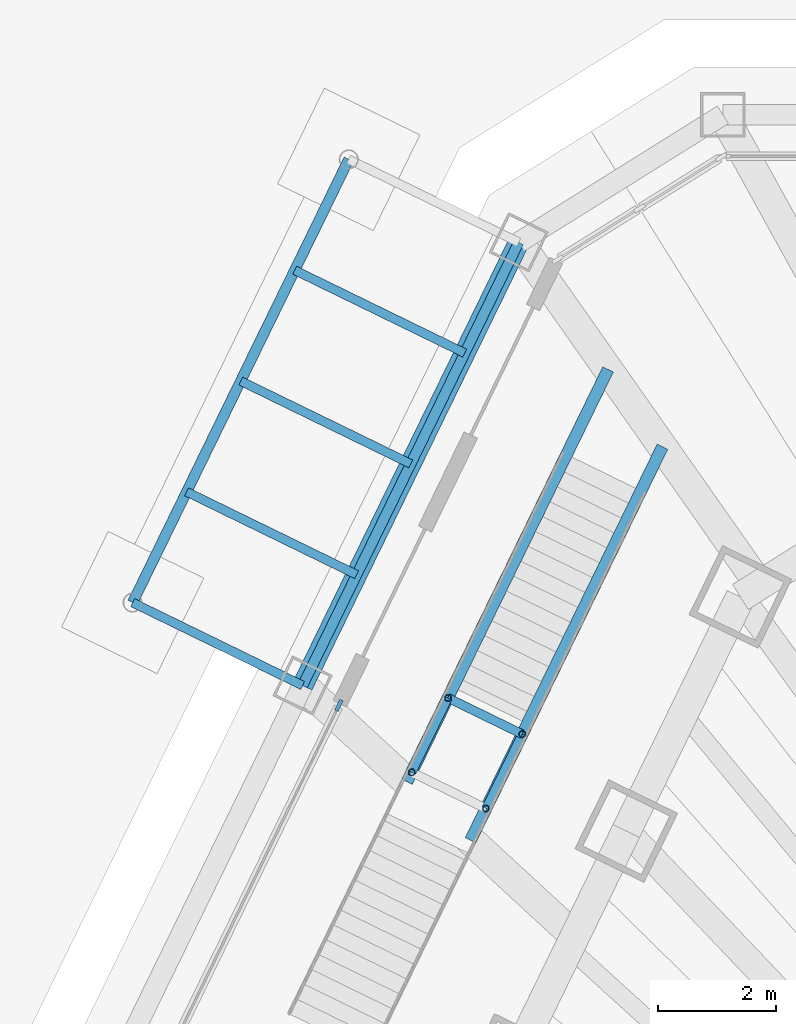
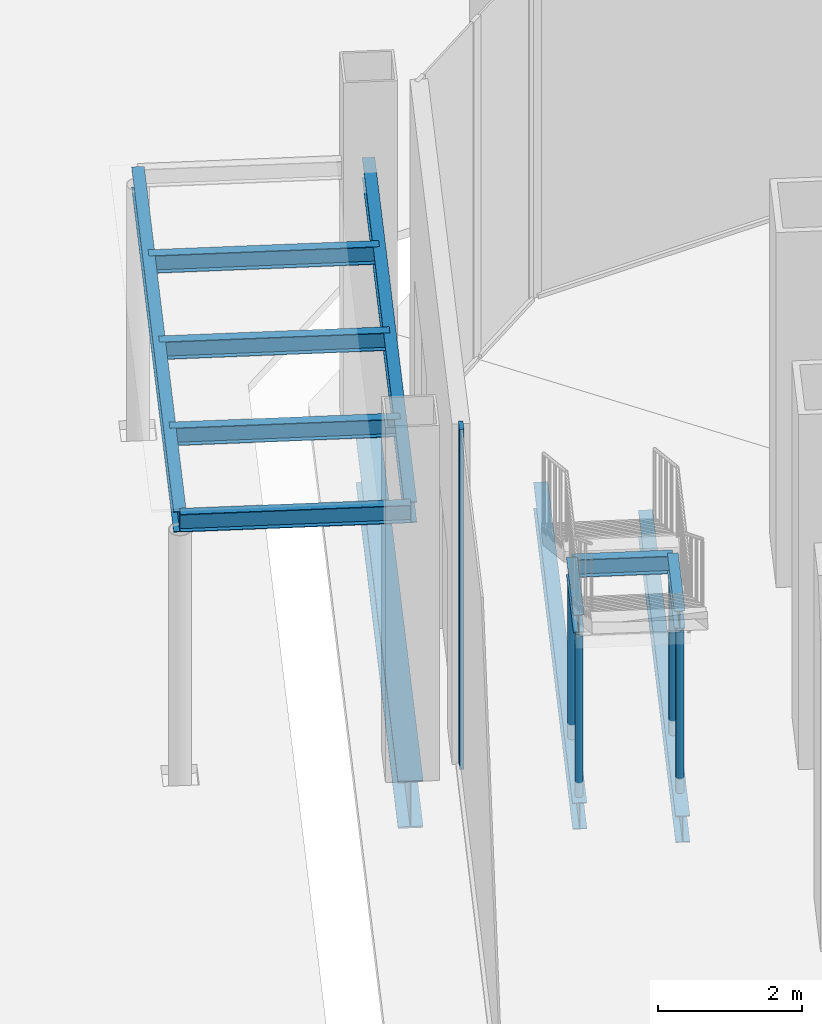
# One storey, part 18 of 45: 12 beams, 5 members, 1 element without a shape of its own.
"""IFC4 building model written with IfcOpenShell, lengths in metres."""

import ifcopenshell
import ifcopenshell.guid

model = None  # the IFC model being written
_history = None  # IfcOwnerHistory: only IFC2X3 demands one
_inside = {}  # id of a spatial element -> (the spatial element, [elements in it])
_under = {}  # id of a project, library or spatial element -> (it, [spatial elements below it])
_declared = {}  # id of a project -> (the project, [libraries it declares])
_typed = {}  # id of a type object -> (the type object, [elements of that type])
_made_of = {}  # id of a material, layer set ... -> (it, [elements and type objects made of it])


def new_model(schema):
    """Start an empty IFC model of exactly this schema.

    Asked for "IFC4X3", IfcOpenShell would pick the latest addendum, in which some entities
    have other attributes; the version numbers below select the first issue.
    IFC2X3 requires an IfcOwnerHistory on every rooted entity: one is made here for all.
    """
    global model, _history
    if schema == "IFC4X3":
        model = ifcopenshell.file(schema_version=(4, 3, 0, 0))
    else:
        model = ifcopenshell.file(schema=schema)
    _inside.clear()
    _under.clear()
    _declared.clear()
    _typed.clear()
    _made_of.clear()
    _history = None
    if model.schema == "IFC2X3":
        org = make("IfcOrganization", Name="unknown")
        user = make(
            "IfcPersonAndOrganization",
            ThePerson=make("IfcPerson", FamilyName="unknown"),
            TheOrganization=org,
        )
        app = make(
            "IfcApplication",
            ApplicationDeveloper=org,
            Version="unknown",
            ApplicationFullName="unknown",
            ApplicationIdentifier="unknown",
        )
        _history = make(
            "IfcOwnerHistory",
            OwningUser=user,
            OwningApplication=app,
            ChangeAction="ADDED",
            CreationDate=0,
        )
    return model


def make(cls, **values):
    """One entity of the class cls with the attributes given. An attribute that is None is left unset."""
    return model.create_entity(
        cls, **{name: value for name, value in values.items() if value is not None}
    )


def rooted(cls, **values):
    """An entity with a GlobalId (a new one), such as an element, a storey or a relation."""
    return make(cls, GlobalId=ifcopenshell.guid.new(), OwnerHistory=_history, **values)


def si_unit(unit_type, name, prefix=None):
    """IfcSIUnit, for example si_unit("LENGTHUNIT", "METRE", prefix="MILLI")."""
    return make("IfcSIUnit", UnitType=unit_type, Prefix=prefix, Name=name)


def assignment(units):
    """IfcUnitAssignment: the units of a project."""
    return None if units is None else make("IfcUnitAssignment", Units=units)


def point(xyz):
    """IfcCartesianPoint."""
    return None if xyz is None else make("IfcCartesianPoint", Coordinates=xyz)


def direction(xyz):
    """IfcDirection."""
    return None if xyz is None else make("IfcDirection", DirectionRatios=xyz)


def frame(location, z_axis=None, x_axis=None):
    """IfcAxis2Placement3D, a coordinate frame: its origin and axes. An axis left out is left unset."""
    return make(
        "IfcAxis2Placement3D",
        Location=point(location),
        Axis=direction(z_axis),
        RefDirection=direction(x_axis),
    )


def frame_2d(location, x_axis=None):
    """IfcAxis2Placement2D, a coordinate frame in the plane: its origin and x axis."""
    return make(
        "IfcAxis2Placement2D", Location=point(location), RefDirection=direction(x_axis)
    )


def origin():
    """The frame at (0, 0, 0) with its axes left unset."""
    return frame((0.0, 0.0, 0.0))


def origin_2d():
    """The frame at (0, 0) in the plane with its x axis left unset."""
    return frame_2d((0.0, 0.0))


def place(relative_to, where):
    """IfcLocalPlacement: puts the frame where relative to a parent placement (None: the world)."""
    return make(
        "IfcLocalPlacement", PlacementRelTo=relative_to, RelativePlacement=where
    )


def context(
    kind, dimensions, precision=None, world=None, true_north=None, identifier=None
):
    """IfcGeometricRepresentationContext, for example the 3D "Model" context."""
    return make(
        "IfcGeometricRepresentationContext",
        ContextIdentifier=identifier,
        ContextType=kind,
        CoordinateSpaceDimension=dimensions,
        Precision=precision,
        WorldCoordinateSystem=world,
        TrueNorth=true_north,
    )


def subcontext(parent, identifier, kind, view, scale=None):
    """IfcGeometricRepresentationSubContext, for example "Body" below "Model"."""
    return make(
        "IfcGeometricRepresentationSubContext",
        ContextIdentifier=identifier,
        ContextType=kind,
        ParentContext=parent,
        TargetScale=scale,
        TargetView=view,
    )


def project(units=None, contexts=None):
    """IfcProject with its units and contexts."""
    return rooted(
        "IfcProject",
        Name="project",
        RepresentationContexts=contexts,
        UnitsInContext=assignment(units),
    )


def spatial(cls, under=None, at=None, **own):
    """A site, building, storey or space (cls), placed at a placement, below another one or the project."""
    s = rooted(cls, ObjectPlacement=at, **own)
    if under is not None:
        _under.setdefault(under.id(), (under, []))[1].append(s)
    return s


def profile(cls, at=None, kind="AREA", **sizes):
    """A parametric profile (cls). Its sizes go by their IFC names, for example OverallWidth=200.0."""
    return make(cls, ProfileType=kind, Position=at, **sizes)


def rectangle(**sizes):
    """IfcRectangleProfileDef."""
    return profile("IfcRectangleProfileDef", **sizes)


def hollow_circle(**sizes):
    """IfcCircleHollowProfileDef."""
    return profile("IfcCircleHollowProfileDef", **sizes)


def i_section(**sizes):
    """IfcIShapeProfileDef."""
    return profile("IfcIShapeProfileDef", **sizes)


def extrude(swept, where, along, depth):
    """IfcExtrudedAreaSolid: the profile swept, set in the frame where, extruded along a direction by depth."""
    return make(
        "IfcExtrudedAreaSolid",
        SweptArea=swept,
        Position=where,
        ExtrudedDirection=direction(along),
        Depth=depth,
    )


def shape(context_of_items, identifier, shape_type, items):
    """IfcShapeRepresentation: the items that make up one representation, for example the "Body"."""
    return make(
        "IfcShapeRepresentation",
        ContextOfItems=context_of_items,
        RepresentationIdentifier=identifier,
        RepresentationType=shape_type,
        Items=items,
    )


def material(Name=None, Category=None):
    """IfcMaterial."""
    return make("IfcMaterial", Name=Name, Category=Category)


def material_profile(
    of_material, cross_section, Name=None, Category=None, Priority=None
):
    """IfcMaterialProfile: a cross section and its material."""
    return make(
        "IfcMaterialProfile",
        Name=Name,
        Material=of_material,
        Profile=cross_section,
        Priority=Priority,
        Category=Category,
    )


def profile_set(profiles, Name=None, composite=None):
    """IfcMaterialProfileSet."""
    return make(
        "IfcMaterialProfileSet",
        Name=Name,
        MaterialProfiles=profiles,
        CompositeProfile=composite,
    )


def made_of(thing, what):
    """Note that an element or type object is made of a material, layer set ...; save() writes the relation."""
    if what is not None:
        _made_of.setdefault(what.id(), (what, []))[1].append(thing)
    return thing


def type_object(cls, material=None, **own):
    """A type object (cls), such as IfcWallType, which elements share."""
    return made_of(rooted(cls, **own), material)


def element(
    cls,
    number,
    at=None,
    inside=None,
    cuts=None,
    type_object=None,
    material=None,
    context=None,
    identifier="Body",
    shape_type=None,
    held_by="IfcProductDefinitionShape",
    body=None,
    shapes=None,
    **own,
):
    """One element of the class cls, such as IfcWall. Its Tag is "e" and its number.

    at: its placement. inside: the storey or other place that contains it. cuts: it is an
    opening in that element (IfcRelVoidsElement). A single representation is given by context,
    identifier, shape_type and body (its items); several are given by shapes. held_by: the class
    of the entity that holds the representations. save() writes the other relations.
    """
    e = rooted(cls, Tag="e%d" % number, ObjectPlacement=at, **own)
    if body is not None:
        shapes = [shape(context, identifier, shape_type, body)]
    if shapes is not None:
        e.Representation = make(held_by, Representations=shapes)
    if inside is not None:
        _inside.setdefault(inside.id(), (inside, []))[1].append(e)
    if cuts is not None:
        rooted(
            "IfcRelVoidsElement", RelatingBuildingElement=cuts, RelatedOpeningElement=e
        )
    if type_object is not None:
        _typed.setdefault(type_object.id(), (type_object, []))[1].append(e)
    return made_of(e, material)


def aggregate(whole, parts):
    """IfcRelAggregates: a whole, such as a stair, and the parts it consists of."""
    return rooted("IfcRelAggregates", RelatingObject=whole, RelatedObjects=parts)


def save(model, path):
    """Write the relations noted so far, then the file.

    IfcRelAggregates (storeys below a building ...), IfcRelContainedInSpatialStructure (elements
    in a storey), IfcRelDefinesByType, IfcRelAssociatesMaterial and IfcRelDeclares: one each for
    every whole, place, type object, material and project.
    """
    for whole, parts in _under.values():
        aggregate(whole, parts)
    for where, things in _inside.values():
        rooted(
            "IfcRelContainedInSpatialStructure",
            RelatedElements=things,
            RelatingStructure=where,
        )
    for kind, things in _typed.values():
        rooted("IfcRelDefinesByType", RelatedObjects=things, RelatingType=kind)
    for what, things in _made_of.values():
        rooted("IfcRelAssociatesMaterial", RelatedObjects=things, RelatingMaterial=what)
    for by, libraries in _declared.values():
        rooted("IfcRelDeclares", RelatingContext=by, RelatedDefinitions=libraries)
    model.write(path)


model = new_model("IFC4")

# Units and contexts
model_context = context("Model", 3, precision=1e-05, world=origin(), true_north=direction((0.0, 1.0)))
body_context = subcontext(model_context, "Body", "Model", "MODEL_VIEW")
ifc_project = project(units=[si_unit("LENGTHUNIT", "METRE"), si_unit("AREAUNIT", "SQUARE_METRE"), si_unit("VOLUMEUNIT", "CUBIC_METRE"), si_unit("PLANEANGLEUNIT", "RADIAN"), si_unit("MASSUNIT", "GRAM", prefix="KILO")], contexts=[model_context])

# Site, building, storey
site_placement = place(None, origin())
site = spatial("IfcSite", under=ifc_project, at=site_placement, CompositionType="ELEMENT")
building_placement = place(site_placement, origin())
building = spatial("IfcBuilding", under=site, at=building_placement, Name="Qingtian Harvest Tower", CompositionType="ELEMENT")
storey_placement = place(building_placement, origin())
storey = spatial("IfcBuildingStorey", under=building, at=storey_placement, Name="L00", CompositionType="ELEMENT", Elevation=0.0)

# Beams
ifc_material_1 = material(Name="Steel SN490B", Category="steel")
ifc_material_profile_1 = material_profile(ifc_material_1, i_section(OverallWidth=0.14990234375, OverallDepth=0.300048828125, WebThickness=0.006591796875, FlangeThickness=0.009033203125, at=origin_2d()), Name="H300x150x6.5x9")
ifc_profile_set_1 = profile_set([ifc_material_profile_1], Name="Steel SN490B")
beam_type_1 = type_object("IfcBeamType", Name="Canopy beam CB1 H300x150x6.5x9", PredefinedType="BEAM", material=ifc_profile_set_1)
beam_1_placement = place(storey_placement, frame((-25.32958984375, 23.345458984375, 4.31005859375), z_axis=(-0.898823432079, 0.438310891885, 0.0), x_axis=(-0.438310891885, -0.898823432079, 0.0)))
element("IfcBeam", 1, at=beam_1_placement, inside=storey, type_object=beam_type_1, Name="Canopy beam CB1 CN5 3", PredefinedType="BEAM", context=body_context, shape_type="SweptSolid", body=[
    extrude(i_section(OverallWidth=0.14990234375, OverallDepth=0.300048828125, WebThickness=0.006591796875, FlangeThickness=0.009033203125, at=origin_2d()), origin(), (0.0, 0.0, 1.0), 3.199951171875),
])
beam_2_placement = place(storey_placement, frame((-24.415283203125, 25.2197265625, 4.31005859375), z_axis=(-0.898793373747, 0.438372525723, 0.0), x_axis=(-0.438372525723, -0.898793373747, 0.0)))
element("IfcBeam", 2, at=beam_2_placement, inside=storey, type_object=beam_type_1, Name="Canopy rafter CB1 CN5 3.1", PredefinedType="BEAM", context=body_context, shape_type="SweptSolid", body=[
    extrude(i_section(OverallWidth=0.14990234375, OverallDepth=0.300048828125, WebThickness=0.006591796875, FlangeThickness=0.009033203125, at=origin_2d()), origin(), (0.0, 0.0, 1.0), 3.2001953125),
])
beam_3_placement = place(storey_placement, frame((-23.501220703125, 27.09423828125, 4.31005859375), z_axis=(-0.898808773178, 0.438340950926, 0.0), x_axis=(-0.438340950926, -0.898808773178, 0.0)))
element("IfcBeam", 3, at=beam_3_placement, inside=storey, type_object=beam_type_1, Name="Canopy rafter CB1 CN5 3.2", PredefinedType="BEAM", context=body_context, shape_type="SweptSolid", body=[
    extrude(i_section(OverallWidth=0.14990234375, OverallDepth=0.300048828125, WebThickness=0.006591796875, FlangeThickness=0.009033203125, at=origin_2d()), origin(), (0.0, 0.0, 1.0), 3.19970703125),
])
beam_4_placement = place(storey_placement, frame((-22.5869140625, 28.968505859375, 4.31005859375), z_axis=(-0.898793373747, 0.438372525723, 0.0), x_axis=(-0.438372525723, -0.898793373747, 0.0)))
element("IfcBeam", 4, at=beam_4_placement, inside=storey, type_object=beam_type_1, Name="Canopy rafter CB1 CN5 3.3", PredefinedType="BEAM", context=body_context, shape_type="SweptSolid", body=[
    extrude(i_section(OverallWidth=0.14990234375, OverallDepth=0.300048828125, WebThickness=0.006591796875, FlangeThickness=0.009033203125, at=origin_2d()), origin(), (0.0, 0.0, 1.0), 3.2001953125),
])
ifc_material_2 = material(Name="Steel SN490B", Category="steel")
ifc_material_profile_2 = material_profile(ifc_material_2, i_section(OverallWidth=0.175048828125, OverallDepth=0.35009765625, WebThickness=0.007080078125, FlangeThickness=0.010986328125, at=origin_2d()), Name="H350x175x7x11")
ifc_profile_set_2 = profile_set([ifc_material_profile_2], Name="Steel SN490B")
beam_type_2 = type_object("IfcBeamType", Name="Canopy edge beam CB2 H350x175x7x11", PredefinedType="BEAM", material=ifc_profile_set_2)
beam_5_placement = place(storey_placement, frame((-25.32958984375, 23.345458984375, 4.284912109375), z_axis=(0.438376346902, 0.898791510016, 0.0), x_axis=(-0.898791510016, 0.438376346902, 0.0)))
element("IfcBeam", 5, at=beam_5_placement, inside=storey, type_object=beam_type_2, Name="Canopy back beam CB1 CN5 3", PredefinedType="BEAM", context=body_context, shape_type="SweptSolid", body=[
    extrude(i_section(OverallWidth=0.175048828125, OverallDepth=0.35009765625, WebThickness=0.007080078125, FlangeThickness=0.010986328125, at=origin_2d()), origin(), (0.0, 0.0, 1.0), 8.341552734375),
])
beam_6_placement = place(storey_placement, frame((-28.205810546875, 24.748046875, 4.284912109375), z_axis=(0.438388457998, 0.898785602852, 0.0), x_axis=(-0.898785602852, 0.438388457998, 0.0)))
element("IfcBeam", 6, at=beam_6_placement, inside=storey, type_object=beam_type_2, Name="Canopy front beam CB1 CN5 3", PredefinedType="BEAM", context=body_context, shape_type="SweptSolid", body=[
    extrude(i_section(OverallWidth=0.175048828125, OverallDepth=0.35009765625, WebThickness=0.007080078125, FlangeThickness=0.010986328125, at=origin_2d()), origin(), (0.0, 0.0, 1.0), 8.341796875),
])
ifc_material_3 = material(Name="Steel SN490B", Category="steel")
ifc_material_profile_3 = material_profile(ifc_material_3, i_section(OverallWidth=0.14990234375, OverallDepth=0.300048828125, WebThickness=0.006591796875, FlangeThickness=0.009033203125, at=origin_2d()), Name="H300x150x6.5x9")
ifc_profile_set_3 = profile_set([ifc_material_profile_3], Name="Steel SN490B")
beam_type_3 = type_object("IfcBeamType", Name="Landing beam LB1 H300x150x6.5x9", PredefinedType="BEAM", material=ifc_profile_set_3)
for number, where, z_axis, x_axis, name in (
    (7, (-22.872314453125, 23.135986328125, 2.64990234375), (0.898778501226, -0.438403017478, 0.0), (0.438403017478, 0.898778501226, 0.0), "Landing beam LB1 FS2 1"),
    (8, (-22.872314453125, 23.135986328125, 2.64990234375), (-0.438403017478, -0.898778501226, 0.0), (0.898778501226, -0.438403017478, 0.0), "Landing beam LB1 FS2 3"),
    (9, (-21.614013671875, 22.522216796875, 2.64990234375), (-0.438403017478, -0.898778501226, 0.0), (0.898778501226, -0.438403017478, 0.0), "Landing beam LB1 FS2 4"),
):
    element("IfcBeam", number, at=place(storey_placement, frame(where, z_axis=z_axis, x_axis=x_axis)), inside=storey, type_object=beam_type_3, Name=name, PredefinedType="BEAM", context=body_context, shape_type="SweptSolid", body=[
        extrude(i_section(OverallWidth=0.14990234375, OverallDepth=0.300048828125, WebThickness=0.006591796875, FlangeThickness=0.009033203125, at=origin_2d()), origin(), (0.0, 0.0, 1.0), 1.39990234375),
    ])

# Members
ifc_material_4 = material(Name="Steel SN490B", Category="steel")
ifc_material_profile_4 = material_profile(ifc_material_4, hollow_circle(Radius=0.05712890625, WallThickness=0.00634765625, at=origin_2d()), Name="CHS114.3x6.3")
ifc_profile_set_4 = profile_set([ifc_material_profile_4], Name="Steel SN490B")
member_type_1 = type_object("IfcMemberType", Name="Landing post LP1 CHS114.3x6.3", PredefinedType="POST", material=ifc_profile_set_4)
for number, where, z_axis, x_axis, name in (
    (10, (-22.872314453125, 23.135986328125, -0.25), (0.0, 0.0, 1.0), (1.0, 0.0, 0.0), "Landing post LP1 FS2 1"),
    (11, (-21.614013671875, 22.522216796875, -0.25), (0.0, 0.0, 1.0), (1.0, 0.0, 0.0), "Landing post LP1 FS2 2"),
    (12, (-23.486083984375, 21.877685546875, -0.25), (0.0, 0.0, 1.0), (1.0, 0.0, 0.0), "Landing post LP1 FS2 3"),
    (13, (-22.227783203125, 21.263916015625, -0.25), (0.0, 0.0, 1.0), (1.0, 0.0, 0.0), "Landing post LP1 FS2 4"),
):
    element("IfcMember", number, at=place(storey_placement, frame(where, z_axis=z_axis, x_axis=x_axis)), inside=storey, type_object=member_type_1, Name=name, PredefinedType="POST", context=body_context, shape_type="SweptSolid", body=[
        extrude(hollow_circle(Radius=0.05712890625, WallThickness=0.00634765625, at=origin_2d()), origin(), (0.0, 0.0, 1.0), 2.75),
    ])

# Curtain wall, member
ifc_material_5 = material(Name="Bronze-anodised aluminium curtain wall", Category="aluminium")
curtain_wall_type = type_object("IfcCurtainWallType", Name="Curtain wall CW1 podium shopfront", PredefinedType="USERDEFINED", material=ifc_material_5)
curtain_wall_placement = place(storey_placement, origin())
curtain_wall = element("IfcCurtainWall", 14, at=curtain_wall_placement, inside=storey, type_object=curtain_wall_type, Name="Curtain wall CW1 L00 NW2", ObjectType="RECESSED CURTAIN WALL", PredefinedType="USERDEFINED")
ifc_material_6 = material(Name="Bronze-anodised aluminium mullion", Category="aluminium")
ifc_material_profile_5 = material_profile(ifc_material_6, rectangle(XDim=0.06494140625, YDim=0.199951171875, at=origin_2d()), Name="AL 65x200")
ifc_profile_set_5 = profile_set([ifc_material_profile_5], Name="Bronze-anodised aluminium mullion")
member_type_2 = type_object("IfcMemberType", Name="Mullion CWM 65x200", PredefinedType="MULLION", material=ifc_profile_set_5)
member_placement = place(storey_placement, frame((-24.714599609375, 23.00927734375, 0.0), z_axis=(0.0, 0.0, 1.0), x_axis=(-0.898794046299, 0.438371146789, 0.0)))
member = element("IfcMember", 15, at=member_placement, type_object=member_type_2, Name="CW1 mullion 2", PredefinedType="MULLION", context=body_context, shape_type="SweptSolid", body=[
    extrude(rectangle(XDim=0.06494140625, YDim=0.199951171875, at=origin_2d()), origin(), (0.0, 0.0, 1.0), 5.75),
])
aggregate(curtain_wall, [member])

# Beams
ifc_material_7 = material(Name="Steel SN490B", Category="steel")
ifc_material_profile_6 = material_profile(ifc_material_7, i_section(OverallWidth=0.35009765625, OverallDepth=0.800048828125, WebThickness=0.01611328125, FlangeThickness=0.028076171875, at=origin_2d()), Name="H800x350x16x28")
ifc_profile_set_6 = profile_set([ifc_material_profile_6], Name="Steel SN490B")
beam_type_4 = type_object("IfcBeamType", Name="Podium beam PB1 H800x350x16x28", PredefinedType="BEAM", material=ifc_profile_set_6)
beam_7_placement = place(storey_placement, frame((-25.32958984375, 23.345458984375, -0.64990234375), z_axis=(0.438376346902, 0.898791510016, 0.0), x_axis=(-0.898791510016, 0.438376346902, 0.0)))
element("IfcBeam", 16, at=beam_7_placement, inside=storey, type_object=beam_type_4, Name="Podium edge beam PB1 NW3", PredefinedType="BEAM", context=body_context, shape_type="SweptSolid", body=[
    extrude(i_section(OverallWidth=0.35009765625, OverallDepth=0.800048828125, WebThickness=0.01611328125, FlangeThickness=0.028076171875, at=origin_2d()), origin(), (0.0, 0.0, 1.0), 8.341552734375),
])
ifc_material_8 = material(Name="Steel SN490B", Category="steel")
ifc_material_profile_7 = material_profile(ifc_material_8, i_section(OverallWidth=0.199951171875, OverallDepth=0.449951171875, WebThickness=0.009033203125, FlangeThickness=0.013916015625, at=origin_2d()), Name="H450x200x9x14")
ifc_profile_set_7 = profile_set([ifc_material_profile_7], Name="Steel SN490B")
beam_type_5 = type_object("IfcBeamType", Name="Stair support beam SSB1 H450x200x9x14", PredefinedType="BEAM", material=ifc_profile_set_7)
beam_8_placement = place(storey_placement, frame((-20.162109375, 28.69287109375, -0.47509765625), z_axis=(-0.438370325315, -0.898794446958, 0.0), x_axis=(0.898794446958, -0.438370325315, 0.0)))
element("IfcBeam", 17, at=beam_8_placement, inside=storey, type_object=beam_type_5, Name="Stair support beam SSB1 FS2 L", PredefinedType="BEAM", context=body_context, shape_type="SweptSolid", body=[
    extrude(i_section(OverallWidth=0.199951171875, OverallDepth=0.449951171875, WebThickness=0.009033203125, FlangeThickness=0.013916015625, at=origin_2d()), origin(), (0.0, 0.0, 1.0), 7.76025390625),
])
beam_9_placement = place(storey_placement, frame((-19.24267578125, 27.384521484375, -0.47509765625), z_axis=(-0.438344398296, -0.898807091918, 0.0), x_axis=(0.898807091918, -0.438344398296, 0.0)))
element("IfcBeam", 18, at=beam_9_placement, inside=storey, type_object=beam_type_5, Name="Stair support beam SSB1 FS2 R", PredefinedType="BEAM", context=body_context, shape_type="SweptSolid", body=[
    extrude(i_section(OverallWidth=0.199951171875, OverallDepth=0.449951171875, WebThickness=0.009033203125, FlangeThickness=0.013916015625, at=origin_2d()), origin(), (0.0, 0.0, 1.0), 7.406494140625),
])

save(model, "model.ifc")
